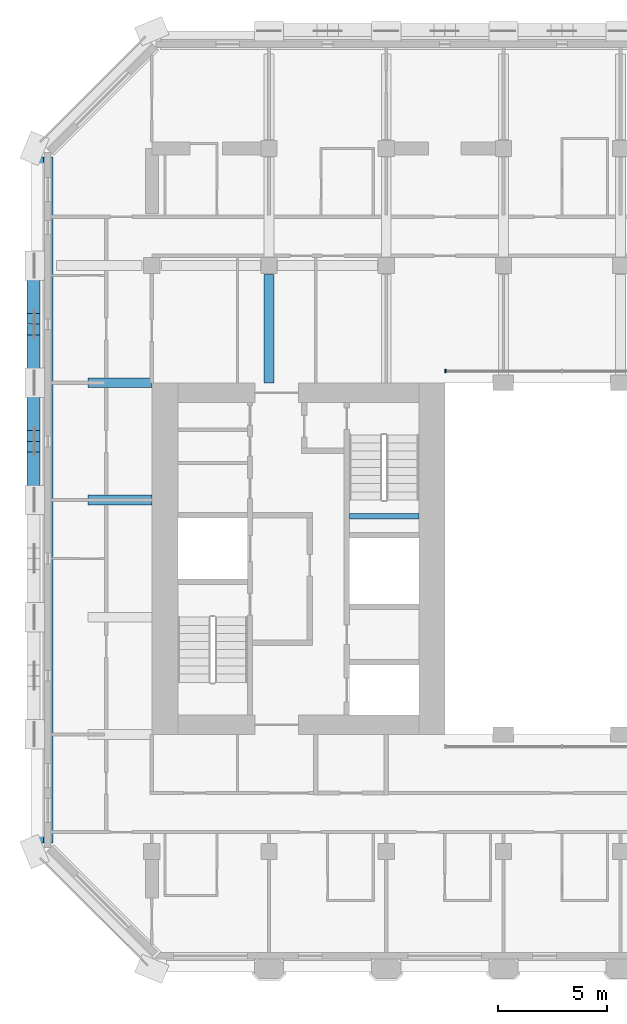
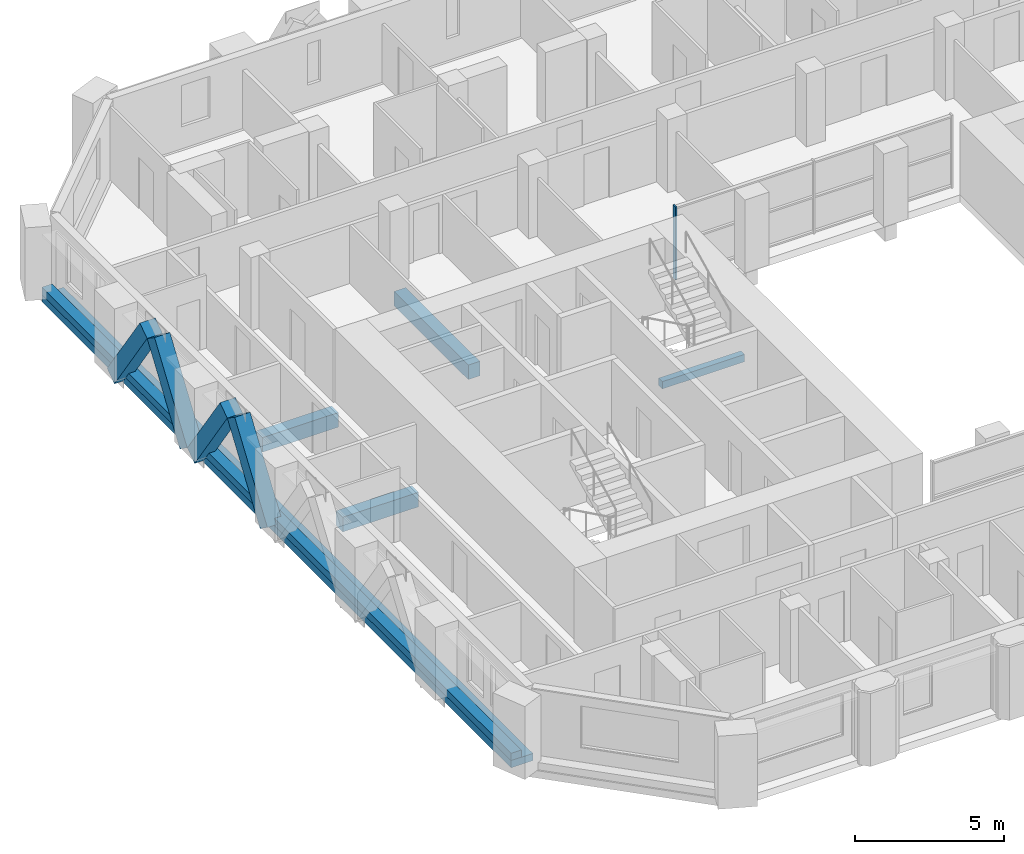
# One storey, part 3 of 15: 6 beams, 5 members, 1 element without a shape of its own.
"""IFC4 building model written with IfcOpenShell, lengths in metres."""

from ifc_helpers import new_model, si_unit, direction, frame, origin, origin_2d, place, context, subcontext, project, spatial, rectangle, extrude, material, material_profile, profile_set, type_object, element, aggregate, save


model = new_model("IFC4")

# Units and contexts
model_context = context("Model", 3, precision=1e-05, world=origin(), true_north=direction((0.0, 1.0)))
body_context = subcontext(model_context, "Body", "Model", "MODEL_VIEW")
ifc_project = project(units=[si_unit("LENGTHUNIT", "METRE"), si_unit("AREAUNIT", "SQUARE_METRE"), si_unit("VOLUMEUNIT", "CUBIC_METRE"), si_unit("PLANEANGLEUNIT", "RADIAN"), si_unit("MASSUNIT", "GRAM", prefix="KILO")], contexts=[model_context])

# Site, building, storey
site_placement = place(None, origin())
site = spatial("IfcSite", under=ifc_project, at=site_placement, CompositionType="ELEMENT")
building_placement = place(site_placement, origin())
building = spatial("IfcBuilding", under=site, at=building_placement, Name="Tabaq Tower and Sports Hall", CompositionType="ELEMENT")
storey_placement = place(building_placement, frame((0.0, 0.0, 207.10009765625)))
storey = spatial("IfcBuildingStorey", under=building, at=storey_placement, Name="L51", CompositionType="ELEMENT", Elevation=207.10009765625)

# Curtain wall, member
ifc_material_1 = material(Name="Aluminium alloy 6063-T6 framed glazing", Category="aluminium")
curtain_wall_type = type_object("IfcCurtainWallType", Name="CW1 curtain wall", PredefinedType="USERDEFINED", material=ifc_material_1)
curtain_wall_placement = place(storey_placement, origin())
curtain_wall = element("IfcCurtainWall", 1, at=curtain_wall_placement, inside=storey, type_object=curtain_wall_type, Name="Atrium glazing L51 N", ObjectType="ATRIUM ENCLOSURE", PredefinedType="USERDEFINED")
ifc_material_2 = material(Name="Aluminium alloy 6063-T6", Category="aluminium")
ifc_material_profile_1 = material_profile(ifc_material_2, rectangle(XDim=0.159912109375, YDim=0.06005859375, at=origin_2d()), Name="MULLION 160x60")
ifc_profile_set_1 = profile_set([ifc_material_profile_1], Name="Aluminium alloy 6063-T6")
member_type_1 = type_object("IfcMemberType", Name="CW1 mullion 160x60", PredefinedType="MULLION", material=ifc_profile_set_1)
member_placement = place(storey_placement, frame((18.929931640625, 32.949951171875, 0.0), z_axis=(0.0, 0.0, 1.0), x_axis=(0.0, 1.0, 0.0)))
member = element("IfcMember", 2, at=member_placement, type_object=member_type_1, Name="CW1 mullion 1", PredefinedType="MULLION", context=body_context, shape_type="SweptSolid", body=[
    extrude(rectangle(XDim=0.159912109375, YDim=0.06005859375, at=origin_2d()), origin(), (0.0, 0.0, 1.0), 3.0),
])
aggregate(curtain_wall, [member])

# Beams
ifc_material_3 = material(Name="Concrete C40/50", Category="concrete")
ifc_material_profile_2 = material_profile(ifc_material_3, rectangle(XDim=0.449951171875, YDim=0.60009765625, at=origin_2d()), Name="CB 450x600")
ifc_profile_set_2 = profile_set([ifc_material_profile_2], Name="Concrete C40/50")
beam_type_1 = type_object("IfcBeamType", Name="PT CANTILEVER BEAM CB 450x600 C40/50", PredefinedType="BEAM", material=ifc_profile_set_2)
for number, where, z_axis, x_axis, name in (
    (3, (2.449951171875, 27.0, -0.60009765625), (1.0, 0.0, 0.0), (0.0, 1.0, 0.0), "Cantilever Beam L51 W5 span 1"),
    (4, (2.449951171875, 32.39990234375, -0.60009765625), (1.0, 0.0, 0.0), (0.0, 1.0, 0.0), "Cantilever Beam L51 W6 span 1"),
):
    element("IfcBeam", number, at=place(storey_placement, frame(where, z_axis=z_axis, x_axis=x_axis)), inside=storey, type_object=beam_type_1, Name=name, PredefinedType="BEAM", context=body_context, shape_type="SweptSolid", body=[
        extrude(rectangle(XDim=0.449951171875, YDim=0.60009765625, at=origin_2d()), origin(), (0.0, 0.0, 1.0), 2.949951171875),
    ])
beam_1_placement = place(storey_placement, frame((10.800048828125, 37.39990234375, -0.60009765625), z_axis=(0.0, -1.0, 0.0), x_axis=(1.0, 0.0, 0.0)))
element("IfcBeam", 5, at=beam_1_placement, inside=storey, type_object=beam_type_1, Name="Cantilever Beam L51 N2 span 3", PredefinedType="BEAM", context=body_context, shape_type="SweptSolid", body=[
    extrude(rectangle(XDim=0.449951171875, YDim=0.60009765625, at=origin_2d()), origin(), (0.0, 0.0, 1.0), 5.0),
])
ifc_material_4 = material(Name="Concrete C40/50", Category="concrete")
ifc_material_profile_3 = material_profile(ifc_material_4, rectangle(XDim=0.85009765625, YDim=0.300048828125, at=origin_2d()), Name="EB 850x300")
ifc_profile_set_3 = profile_set([ifc_material_profile_3], Name="Concrete C40/50")
beam_type_2 = type_object("IfcBeamType", Name="PT EDGE BEAM EB 850x300 C40/50", PredefinedType="SPANDREL", material=ifc_profile_set_3)
beam_2_placement = place(storey_placement, frame((0.425048828125, 42.7978515625, -0.150146484375), z_axis=(0.0, -1.0, 0.0), x_axis=(1.0, 0.0, 0.0)))
element("IfcBeam", 6, at=beam_2_placement, inside=storey, type_object=beam_type_2, Name="Edge Beam L51 3", PredefinedType="SPANDREL", context=body_context, shape_type="SweptSolid", body=[
    extrude(rectangle(XDim=0.85009765625, YDim=0.300048828125, at=origin_2d()), origin(), (0.0, 0.0, 1.0), 31.595703125),
])
ifc_material_5 = material(Name="Concrete C40/50", Category="concrete")
ifc_material_profile_4 = material_profile(ifc_material_5, rectangle(XDim=0.39990234375, YDim=0.300048828125, at=origin_2d()), Name="EU 400x300")
ifc_profile_set_4 = profile_set([ifc_material_profile_4], Name="Concrete C40/50")
beam_type_3 = type_object("IfcBeamType", Name="PT EDGE UPSTAND EU 400x300 C40/50", PredefinedType="BEAM", material=ifc_profile_set_4)
beam_3_placement = place(storey_placement, frame((0.199951171875, 42.7978515625, 0.14990234375), z_axis=(0.0, -1.0, 0.0), x_axis=(1.0, 0.0, 0.0)))
element("IfcBeam", 7, at=beam_3_placement, inside=storey, type_object=beam_type_3, Name="Edge Upstand L51 3", PredefinedType="BEAM", context=body_context, shape_type="SweptSolid", body=[
    extrude(rectangle(XDim=0.39990234375, YDim=0.300048828125, at=origin_2d()), origin(), (0.0, 0.0, 1.0), 31.595703125),
])

# Members
ifc_material_6 = material(Name="Concrete C50/60", Category="concrete")
ifc_material_profile_5 = material_profile(ifc_material_6, rectangle(XDim=0.60009765625, YDim=0.60009765625, at=origin_2d()), Name="TRANSFER BAND BRACE 600x600")
ifc_profile_set_5 = profile_set([ifc_material_profile_5], Name="Concrete C50/60")
member_type_2 = type_object("IfcMemberType", Name="RC TRANSFER BAND BRACE 600x600 C50/60", PredefinedType="BRACE", material=ifc_profile_set_5)
for number, where, z_axis, x_axis, name in (
    (8, (-0.050048828125, 27.25, -0.050048828125), (0.0, 0.56652615464, 0.824043758613), (-1.0, 0.0, 0.0), "Transfer Band Brace L51 West 13"),
    (9, (-0.050048828125, 32.14990234375, -0.050048828125), (0.0, -0.56652615464, 0.824043758613), (1.0, 0.0, 0.0), "Transfer Band Brace L51 West 14"),
    (10, (-0.050048828125, 32.64990234375, -0.050048828125), (0.0, 0.566568844459, 0.824014407937), (-1.0, 0.0, 0.0), "Transfer Band Brace L51 West 15"),
    (11, (-0.050048828125, 37.550048828125, -0.050048828125), (0.0, -0.56652615464, 0.824043758613), (1.0, 0.0, 0.0), "Transfer Band Brace L51 West 16"),
):
    element("IfcMember", number, at=place(storey_placement, frame(where, z_axis=z_axis, x_axis=x_axis)), inside=storey, type_object=member_type_2, Name=name, PredefinedType="BRACE", context=body_context, shape_type="SweptSolid", body=[
        extrude(rectangle(XDim=0.60009765625, YDim=0.60009765625, at=origin_2d()), origin(), (0.0, 0.0, 1.0), 3.88330078125),
    ])

# Beam
ifc_material_7 = material(Name="Concrete C40/50", Category="concrete")
ifc_material_profile_6 = material_profile(ifc_material_7, rectangle(XDim=0.25, YDim=0.300048828125, at=origin_2d()), Name="RC 250x300")
ifc_profile_set_6 = profile_set([ifc_material_profile_6], Name="Concrete C40/50")
beam_type_4 = type_object("IfcBeamType", Name="Stair landing beam 250x300", PredefinedType="BEAM", material=ifc_profile_set_6)
beam_4_placement = place(storey_placement, frame((14.5, 26.25, 1.2998046875), z_axis=(1.0, 0.0, 0.0), x_axis=(0.0, 1.0, 0.0)))
element("IfcBeam", 12, at=beam_4_placement, inside=storey, type_object=beam_type_4, Name="L51 ST2 landing beam 1", PredefinedType="BEAM", context=body_context, shape_type="SweptSolid", body=[
    extrude(rectangle(XDim=0.25, YDim=0.300048828125, at=origin_2d()), origin(), (0.0, 0.0, 1.0), 3.199951171875),
])

save(model, "model.ifc")
